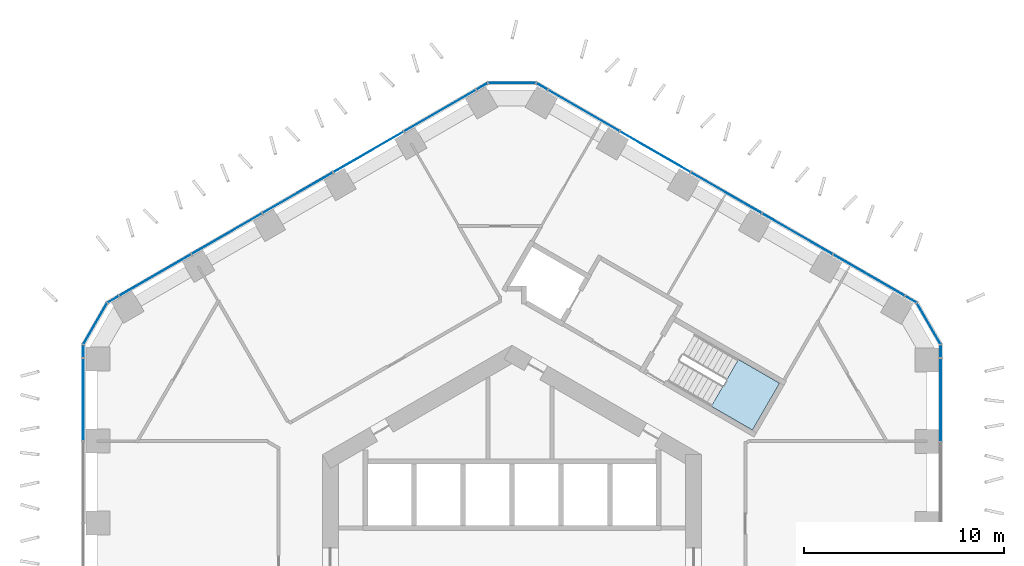
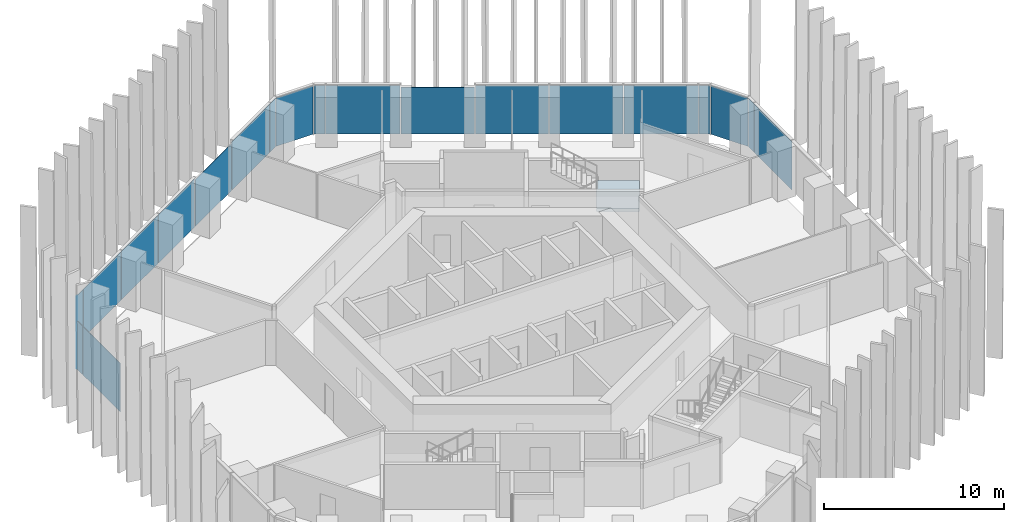
# One storey, part 11 of 18: 21 plates, 1 slab, 8 elements without a shape of their own.
"""IFC4 building model written with IfcOpenShell, lengths in metres."""

from ifc_helpers import new_model, si_unit, direction, frame, origin, origin_2d, place, context, subcontext, project, spatial, polyline, rectangle, outline, extrude, material, layer, layer_set, type_object, element, aggregate, save


model = new_model("IFC4")

# Units and contexts
model_context = context("Model", 3, precision=1e-05, world=origin(), true_north=direction((0.0, 1.0)))
body_context = subcontext(model_context, "Body", "Model", "MODEL_VIEW")
ifc_project = project(units=[si_unit("LENGTHUNIT", "METRE"), si_unit("AREAUNIT", "SQUARE_METRE"), si_unit("VOLUMEUNIT", "CUBIC_METRE"), si_unit("PLANEANGLEUNIT", "RADIAN"), si_unit("MASSUNIT", "GRAM", prefix="KILO")], contexts=[model_context])

# Site, building, storey
site_placement = place(None, origin())
site = spatial("IfcSite", under=ifc_project, at=site_placement, CompositionType="ELEMENT")
building_placement = place(site_placement, origin())
building = spatial("IfcBuilding", under=site, at=building_placement, Name="Ayvan Gate Tower", CompositionType="ELEMENT")
storey_placement = place(building_placement, frame((0.0, 0.0, 25.5)))
storey = spatial("IfcBuildingStorey", under=building, at=storey_placement, Name="L05", CompositionType="ELEMENT", Elevation=25.5)

# Stair, slab
ifc_material_1 = material(Name="Concrete C40/50", Category="concrete")
stair_type = type_object("IfcStairType", Name="ST-EXIT", PredefinedType="HALF_TURN_STAIR", material=ifc_material_1)
stair_placement = place(storey_placement, origin())
stair = element("IfcStair", 1, at=stair_placement, inside=storey, type_object=stair_type, Name="L05 Exit Stair S1", PredefinedType="HALF_TURN_STAIR")
ifc_layer_1 = layer(ifc_material_1, 0.199951171875)
ifc_layer_set_1 = layer_set([ifc_layer_1], Name="Concrete C40/50")
slab_type = type_object("IfcSlabType", Name="SL-LANDING-200", PredefinedType="LANDING", material=ifc_layer_set_1)
slab_placement = place(storey_placement, frame((0.0, 0.0, 1.5)))
slab = element("IfcSlab", 2, at=slab_placement, type_object=slab_type, Name="STS1 landing 1", PredefinedType="LANDING", context=body_context, shape_type="SweptSolid", body=[
    extrude(outline(polyline([(9.988525390625, 7.91064453125), (12.049560546875, 6.720458984375), (13.404541015625, 9.0673828125), (11.343505859375, 10.257568359375), (9.988525390625, 7.91064453125)])), origin(), (0.0, 0.0, 1.0), 0.199951171875),
])
aggregate(stair, [slab])

# Curtain wall, plates
ifc_material_2 = material(Name="Bronze anodised aluminium", Category="aluminium")
ifc_layer_2 = layer(ifc_material_2, 0.199951171875)
ifc_layer_set_2 = layer_set([ifc_layer_2], Name="Bronze anodised aluminium")
curtain_wall_type_1 = type_object("IfcCurtainWallType", Name="Stick curtain wall CW-1", PredefinedType="NOTDEFINED", material=ifc_layer_set_2)
curtain_wall_1_placement = place(storey_placement, origin())
curtain_wall_1 = element("IfcCurtainWall", 3, at=curtain_wall_1_placement, inside=storey, type_object=curtain_wall_type_1, Name="Stick curtain wall CW-1 L05", PredefinedType="NOTDEFINED")
ifc_material_3 = material(Name="Clear low-iron laminated glass", Category="glass")
ifc_layer_3 = layer(ifc_material_3, 0.028076171875)
ifc_layer_set_3 = layer_set([ifc_layer_3], Name="Clear low-iron laminated glass")
plate_type_1 = type_object("IfcPlateType", Name="Stick curtain wall CW-1 glass panel", PredefinedType="CURTAIN_PANEL", material=ifc_layer_set_3)
plate_1_placement = place(storey_placement, frame((-3.597412109375, 22.731201171875, 0.0), z_axis=(0.0, 0.0, 1.0), x_axis=(-0.866025403784, -0.5, 0.0)))
plate_1 = element("IfcPlate", 4, at=plate_1_placement, type_object=plate_type_1, Name="CW-1 glass panel 1", PredefinedType="CURTAIN_PANEL", context=body_context, shape_type="SweptSolid", body=[
    extrude(rectangle(XDim=4.159912109375, YDim=0.028076171875, at=origin_2d()), origin(), (0.0, 0.0, 1.0), 3.280029296875),
])
plate_2_placement = place(storey_placement, frame((-7.197021484375, 20.653076171875, 0.0), z_axis=(0.0, 0.0, 1.0), x_axis=(-0.866025403784, -0.5, 0.0)))
plate_2 = element("IfcPlate", 5, at=plate_2_placement, type_object=plate_type_1, Name="CW-1 glass panel 2", PredefinedType="CURTAIN_PANEL", context=body_context, shape_type="SweptSolid", body=[
    extrude(rectangle(XDim=4.032958984375, YDim=0.028076171875, at=origin_2d()), origin(), (0.0, 0.0, 1.0), 3.14990234375),
])
plate_3_placement = place(storey_placement, frame((-10.7421875, 18.606201171875, 0.0), z_axis=(0.0, 0.0, 1.0), x_axis=(-0.866025403784, -0.5, 0.0)))
plate_3 = element("IfcPlate", 6, at=plate_3_placement, type_object=plate_type_1, Name="CW-1 glass panel 3", PredefinedType="CURTAIN_PANEL", context=body_context, shape_type="SweptSolid", body=[
    extrude(rectangle(XDim=4.033935546875, YDim=0.028076171875, at=origin_2d()), origin(), (0.0, 0.0, 1.0), 3.280029296875),
])
plate_4_placement = place(storey_placement, frame((-14.287353515625, 16.5595703125, 0.0), z_axis=(0.0, 0.0, 1.0), x_axis=(-0.866025403784, -0.5, 0.0)))
plate_4 = element("IfcPlate", 7, at=plate_4_placement, type_object=plate_type_1, Name="CW-1 glass panel 4", PredefinedType="CURTAIN_PANEL", context=body_context, shape_type="SweptSolid", body=[
    extrude(rectangle(XDim=4.032958984375, YDim=0.028076171875, at=origin_2d()), origin(), (0.0, 0.0, 1.0), 3.280029296875),
])
plate_5_placement = place(storey_placement, frame((-17.886962890625, 14.481201171875, 0.0), z_axis=(0.0, 0.0, 1.0), x_axis=(-0.866025403784, -0.5, 0.0)))
plate_5 = element("IfcPlate", 8, at=plate_5_placement, type_object=plate_type_1, Name="CW-1 glass panel 5", PredefinedType="CURTAIN_PANEL", context=body_context, shape_type="SweptSolid", body=[
    extrude(rectangle(XDim=4.16015625, YDim=0.028076171875, at=origin_2d()), origin(), (0.0, 0.0, 1.0), 3.280029296875),
])
aggregate(curtain_wall_1, [plate_1, plate_2, plate_3, plate_4, plate_5])

# Curtain wall, plate
curtain_wall_2_placement = place(storey_placement, origin())
curtain_wall_2 = element("IfcCurtainWall", 9, at=curtain_wall_2_placement, inside=storey, type_object=curtain_wall_type_1, Name="Stick curtain wall CW-1 L05", PredefinedType="NOTDEFINED")
plate_6_placement = place(storey_placement, frame((-21.484619140625, 8.265625, 0.0), z_axis=(0.0, 0.0, 1.0), x_axis=(0.0, -1.0, 0.0)))
plate_6 = element("IfcPlate", 10, at=plate_6_placement, type_object=plate_type_1, Name="CW-1 glass panel 1", PredefinedType="CURTAIN_PANEL", context=body_context, shape_type="SweptSolid", body=[
    extrude(rectangle(XDim=4.12890625, YDim=0.028076171875, at=origin_2d()), origin(), (0.0, 0.0, 1.0), 3.280029296875),
])
aggregate(curtain_wall_2, [plate_6])

curtain_wall_3_placement = place(storey_placement, origin())
curtain_wall_3 = element("IfcCurtainWall", 11, at=curtain_wall_3_placement, inside=storey, type_object=curtain_wall_type_1, Name="Stick curtain wall CW-1 L05", PredefinedType="NOTDEFINED")
plate_7_placement = place(storey_placement, frame((21.484619140625, 8.25, 0.0), z_axis=(0.0, 0.0, 1.0), x_axis=(0.0, 1.0, 0.0)))
plate_7 = element("IfcPlate", 12, at=plate_7_placement, type_object=plate_type_1, Name="CW-1 glass panel 5", PredefinedType="CURTAIN_PANEL", context=body_context, shape_type="SweptSolid", body=[
    extrude(rectangle(XDim=4.16015625, YDim=0.028076171875, at=origin_2d()), origin(), (0.0, 0.0, 1.0), 3.280029296875),
])
aggregate(curtain_wall_3, [plate_7])

# Curtain wall, plates
curtain_wall_4_placement = place(storey_placement, origin())
curtain_wall_4 = element("IfcCurtainWall", 13, at=curtain_wall_4_placement, inside=storey, type_object=curtain_wall_type_1, Name="Stick curtain wall CW-1 L05", PredefinedType="NOTDEFINED")
plate_8_placement = place(storey_placement, frame((17.900634765625, 14.473388671875, 0.0), z_axis=(0.0, 0.0, 1.0), x_axis=(-0.866025403784, 0.5, 0.0)))
plate_8 = element("IfcPlate", 14, at=plate_8_placement, type_object=plate_type_1, Name="CW-1 glass panel 1", PredefinedType="CURTAIN_PANEL", context=body_context, shape_type="SweptSolid", body=[
    extrude(rectangle(XDim=4.12890625, YDim=0.028076171875, at=origin_2d()), origin(), (0.0, 0.0, 1.0), 3.280029296875),
])
plate_9_placement = place(storey_placement, frame((14.30517578125, 16.549072265625, 0.0), z_axis=(0.0, 0.0, 1.0), x_axis=(-0.866025403784, 0.5, 0.0)))
plate_9 = element("IfcPlate", 15, at=plate_9_placement, type_object=plate_type_1, Name="CW-1 glass panel 2", PredefinedType="CURTAIN_PANEL", context=body_context, shape_type="SweptSolid", body=[
    extrude(rectangle(XDim=4.053955078125, YDim=0.028076171875, at=origin_2d()), origin(), (0.0, 0.0, 1.0), 3.280029296875),
])
plate_10_placement = place(storey_placement, frame((10.742431640625, 18.606201171875, 0.0), z_axis=(0.0, 0.0, 1.0), x_axis=(-0.866025403784, 0.5, 0.0)))
plate_10 = element("IfcPlate", 16, at=plate_10_placement, type_object=plate_type_1, Name="CW-1 glass panel 3", PredefinedType="CURTAIN_PANEL", context=body_context, shape_type="SweptSolid", body=[
    extrude(rectangle(XDim=4.053955078125, YDim=0.028076171875, at=origin_2d()), origin(), (0.0, 0.0, 1.0), 3.280029296875),
])
plate_11_placement = place(storey_placement, frame((7.1796875, 20.6630859375, 0.0), z_axis=(0.0, 0.0, 1.0), x_axis=(-0.866025403784, 0.5, 0.0)))
plate_11 = element("IfcPlate", 17, at=plate_11_placement, type_object=plate_type_1, Name="CW-1 glass panel 4", PredefinedType="CURTAIN_PANEL", context=body_context, shape_type="SweptSolid", body=[
    extrude(rectangle(XDim=4.053955078125, YDim=0.028076171875, at=origin_2d()), origin(), (0.0, 0.0, 1.0), 3.14990234375),
])
plate_12_placement = place(storey_placement, frame((3.584228515625, 22.739013671875, 0.0), z_axis=(0.0, 0.0, 1.0), x_axis=(-0.866025403784, 0.5, 0.0)))
plate_12 = element("IfcPlate", 18, at=plate_12_placement, type_object=plate_type_1, Name="CW-1 glass panel 5", PredefinedType="CURTAIN_PANEL", context=body_context, shape_type="SweptSolid", body=[
    extrude(rectangle(XDim=4.129150390625, YDim=0.028076171875, at=origin_2d()), origin(), (0.0, 0.0, 1.0), 3.280029296875),
])
aggregate(curtain_wall_4, [plate_8, plate_9, plate_10, plate_11, plate_12])

ifc_layer_4 = layer(ifc_material_2, 0.199951171875)
ifc_layer_set_4 = layer_set([ifc_layer_4], Name="Bronze anodised aluminium")
curtain_wall_type_2 = type_object("IfcCurtainWallType", Name="Stick curtain wall CW-6", PredefinedType="NOTDEFINED", material=ifc_layer_set_4)
curtain_wall_5_placement = place(storey_placement, origin())
curtain_wall_5 = element("IfcCurtainWall", 19, at=curtain_wall_5_placement, inside=storey, type_object=curtain_wall_type_2, Name="Stick curtain wall CW-6 L05", PredefinedType="NOTDEFINED")
ifc_layer_5 = layer(ifc_material_3, 0.028076171875)
ifc_layer_set_5 = layer_set([ifc_layer_5], Name="Clear low-iron laminated glass")
plate_type_2 = type_object("IfcPlateType", Name="Stick curtain wall CW-6 glass panel", PredefinedType="CURTAIN_PANEL", material=ifc_layer_set_5)
plate_13_placement = place(storey_placement, frame((-19.985107421875, 13.27001953125, 0.0), z_axis=(0.0, 0.0, 1.0), x_axis=(-0.866025403784, -0.5, 0.0)))
plate_13 = element("IfcPlate", 20, at=plate_13_placement, type_object=plate_type_2, Name="CW-6 glass panel 1", PredefinedType="CURTAIN_PANEL", context=body_context, shape_type="SweptSolid", body=[
    extrude(rectangle(XDim=0.625, YDim=0.028076171875, at=origin_2d()), origin(), (0.0, 0.0, 1.0), 3.280029296875),
])
plate_14_placement = place(storey_placement, frame((-20.880859375, 12.0556640625, 0.0), z_axis=(0.0, 0.0, 1.0), x_axis=(-0.5, -0.866025403784, 0.0)))
plate_14 = element("IfcPlate", 21, at=plate_14_placement, type_object=plate_type_2, Name="CW-6 glass panel 2", PredefinedType="CURTAIN_PANEL", context=body_context, shape_type="SweptSolid", body=[
    extrude(rectangle(XDim=2.364501953125, YDim=0.028076171875, at=origin_2d()), origin(), (0.0, 0.0, 1.0), 3.280029296875),
])
plate_15_placement = place(storey_placement, frame((-21.484619140625, 10.672607421875, 0.0), z_axis=(0.0, 0.0, 1.0), x_axis=(0.0, -1.0, 0.0)))
plate_15 = element("IfcPlate", 22, at=plate_15_placement, type_object=plate_type_2, Name="CW-6 glass panel 3", PredefinedType="CURTAIN_PANEL", context=body_context, shape_type="SweptSolid", body=[
    extrude(rectangle(XDim=0.625, YDim=0.028076171875, at=origin_2d()), origin(), (0.0, 0.0, 1.0), 3.280029296875),
])
aggregate(curtain_wall_5, [plate_13, plate_14, plate_15])

curtain_wall_6_placement = place(storey_placement, origin())
curtain_wall_6 = element("IfcCurtainWall", 23, at=curtain_wall_6_placement, inside=storey, type_object=curtain_wall_type_2, Name="Stick curtain wall CW-6 L05", PredefinedType="NOTDEFINED")
plate_16_placement = place(storey_placement, frame((21.484619140625, 10.672607421875, 0.0), z_axis=(0.0, 0.0, 1.0), x_axis=(0.0, 1.0, 0.0)))
plate_16 = element("IfcPlate", 24, at=plate_16_placement, type_object=plate_type_2, Name="CW-6 glass panel 1", PredefinedType="CURTAIN_PANEL", context=body_context, shape_type="SweptSolid", body=[
    extrude(rectangle(XDim=0.625, YDim=0.028076171875, at=origin_2d()), origin(), (0.0, 0.0, 1.0), 3.280029296875),
])
plate_17_placement = place(storey_placement, frame((20.880859375, 12.0556640625, 0.0), z_axis=(0.0, 0.0, 1.0), x_axis=(-0.5, 0.866025403784, 0.0)))
plate_17 = element("IfcPlate", 25, at=plate_17_placement, type_object=plate_type_2, Name="CW-6 glass panel 2", PredefinedType="CURTAIN_PANEL", context=body_context, shape_type="SweptSolid", body=[
    extrude(rectangle(XDim=2.364501953125, YDim=0.028076171875, at=origin_2d()), origin(), (0.0, 0.0, 1.0), 3.280029296875),
])
plate_18_placement = place(storey_placement, frame((19.985107421875, 13.27001953125, 0.0), z_axis=(0.0, 0.0, 1.0), x_axis=(-0.866025403784, 0.5, 0.0)))
plate_18 = element("IfcPlate", 26, at=plate_18_placement, type_object=plate_type_2, Name="CW-6 glass panel 3", PredefinedType="CURTAIN_PANEL", context=body_context, shape_type="SweptSolid", body=[
    extrude(rectangle(XDim=0.625, YDim=0.028076171875, at=origin_2d()), origin(), (0.0, 0.0, 1.0), 3.280029296875),
])
aggregate(curtain_wall_6, [plate_16, plate_17, plate_18])

curtain_wall_7_placement = place(storey_placement, origin())
curtain_wall_7 = element("IfcCurtainWall", 27, at=curtain_wall_7_placement, inside=storey, type_object=curtain_wall_type_2, Name="Stick curtain wall CW-6 L05", PredefinedType="NOTDEFINED")
plate_19_placement = place(storey_placement, frame((1.49951171875, 23.942626953125, 0.0), z_axis=(0.0, 0.0, 1.0), x_axis=(-0.866025403784, 0.5, 0.0)))
plate_19 = element("IfcPlate", 28, at=plate_19_placement, type_object=plate_type_2, Name="CW-6 glass panel 1", PredefinedType="CURTAIN_PANEL", context=body_context, shape_type="SweptSolid", body=[
    extrude(rectangle(XDim=0.625, YDim=0.028076171875, at=origin_2d()), origin(), (0.0, 0.0, 1.0), 3.280029296875),
])
plate_20_placement = place(storey_placement, frame((0.0, 24.111328125, 0.0), z_axis=(0.0, 0.0, 1.0), x_axis=(-1.0, 0.0, 0.0)))
plate_20 = element("IfcPlate", 29, at=plate_20_placement, type_object=plate_type_2, Name="CW-6 glass panel 2", PredefinedType="CURTAIN_PANEL", context=body_context, shape_type="SweptSolid", body=[
    extrude(rectangle(XDim=2.364501953125, YDim=0.028076171875, at=origin_2d()), origin(), (0.0, 0.0, 1.0), 3.280029296875),
])
plate_21_placement = place(storey_placement, frame((-1.49951171875, 23.942626953125, 0.0), z_axis=(0.0, 0.0, 1.0), x_axis=(-0.866025403784, -0.5, 0.0)))
plate_21 = element("IfcPlate", 30, at=plate_21_placement, type_object=plate_type_2, Name="CW-6 glass panel 3", PredefinedType="CURTAIN_PANEL", context=body_context, shape_type="SweptSolid", body=[
    extrude(rectangle(XDim=0.625, YDim=0.028076171875, at=origin_2d()), origin(), (0.0, 0.0, 1.0), 3.280029296875),
])
aggregate(curtain_wall_7, [plate_19, plate_20, plate_21])

save(model, "model.ifc")
